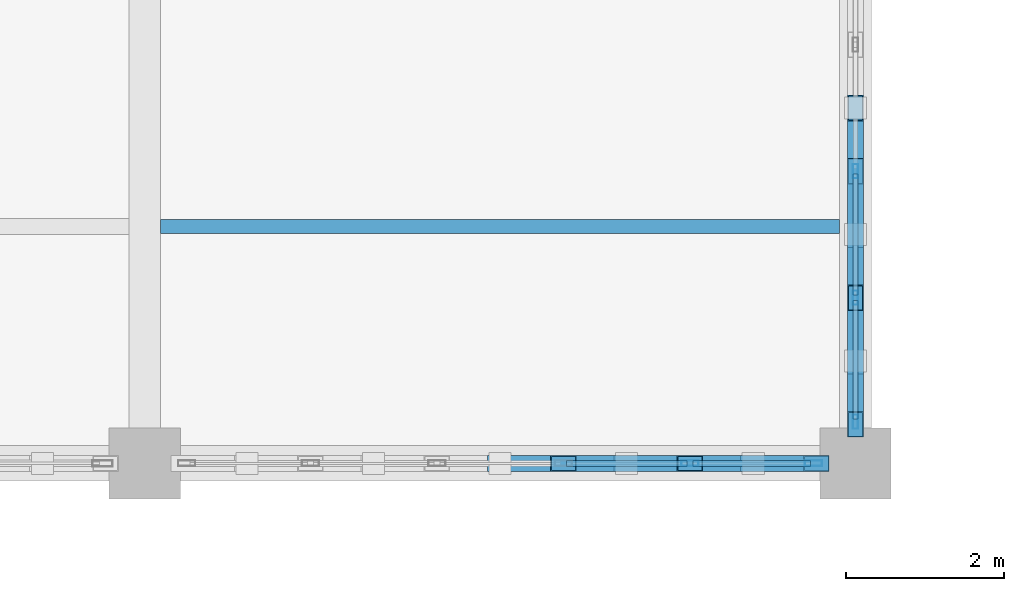
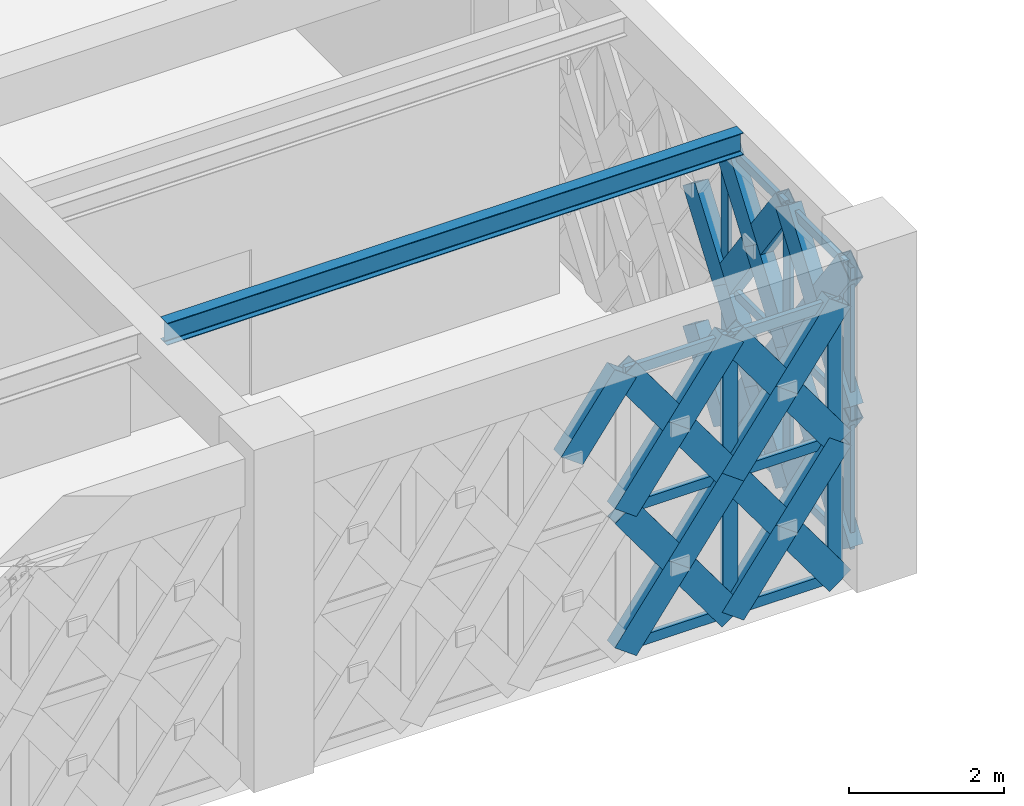
# One storey, part 85 of 166: 44 members, 1 beam, 2 elements without a shape of their own.
"""IFC4 building model written with IfcOpenShell, lengths in metres."""

from ifc_helpers import new_model, si_unit, direction, frame, origin, origin_2d, place, context, subcontext, project, spatial, hollow_rectangle, i_section, extrude, material, material_profile, profile_set, type_object, element, aggregate, save


model = new_model("IFC4")

# Units and contexts
model_context = context("Model", 3, precision=1e-05, world=origin(), true_north=direction((0.0, 1.0)))
body_context = subcontext(model_context, "Body", "Model", "MODEL_VIEW")
ifc_project = project(units=[si_unit("LENGTHUNIT", "METRE"), si_unit("AREAUNIT", "SQUARE_METRE"), si_unit("VOLUMEUNIT", "CUBIC_METRE"), si_unit("PLANEANGLEUNIT", "RADIAN"), si_unit("MASSUNIT", "GRAM", prefix="KILO")], contexts=[model_context])

# Site, building, storey
site_placement = place(None, origin())
site = spatial("IfcSite", under=ifc_project, at=site_placement, CompositionType="ELEMENT")
building_placement = place(site_placement, origin())
building = spatial("IfcBuilding", under=site, at=building_placement, Name="Haizhuo Lancet Aquarium", CompositionType="ELEMENT")
storey_placement = place(building_placement, frame((0.0, 0.0, 5.39990234375)))
storey = spatial("IfcBuildingStorey", under=building, at=storey_placement, Name="L01", CompositionType="ELEMENT", Elevation=5.39990234375)

# Curtain wall, members
ifc_material_1 = material(Name="Aluminium 6063-T6", Category="aluminium")
curtain_wall_type_1 = type_object("IfcCurtainWallType", Name="CWD-8010x4440", PredefinedType="NOTDEFINED", material=ifc_material_1)
curtain_wall_1_placement = place(storey_placement, origin())
curtain_wall_1 = element("IfcCurtainWall", 1, at=curtain_wall_1_placement, inside=storey, type_object=curtain_wall_type_1, Name="L01 curtain wall CW-V5-L01-136", PredefinedType="NOTDEFINED")
ifc_material_profile_1 = material_profile(ifc_material_1, hollow_rectangle(XDim=0.06494140625, YDim=0.179931640625, WallThickness=0.00390625, at=origin_2d()), Name="ALU-M 65x180x4")
ifc_profile_set_1 = profile_set([ifc_material_profile_1], Name="Aluminium 6063-T6")
member_type_1 = type_object("IfcMemberType", Name="CW-MUL-1", PredefinedType="MULLION", material=ifc_profile_set_1)
member_1_placement = place(storey_placement, frame((27.0, 39.698974609375, 0.0), z_axis=(0.0, 0.0, 1.0), x_axis=(1.0, 0.0, 0.0)))
member_1 = element("IfcMember", 2, at=member_1_placement, type_object=member_type_1, Name="CWD-80x44 mullion 4", PredefinedType="MULLION", context=body_context, shape_type="SweptSolid", body=[
    extrude(hollow_rectangle(XDim=0.06494140625, YDim=0.179931640625, WallThickness=0.00390625, at=origin_2d()), origin(), (0.0, 0.0, 1.0), 4.440185546875),
])
member_2_placement = place(storey_placement, frame((27.0, 38.096923828125, 0.0), z_axis=(0.0, 0.0, 1.0), x_axis=(1.0, 0.0, 0.0)))
member_2 = element("IfcMember", 3, at=member_2_placement, type_object=member_type_1, Name="CWD-80x44 mullion 5", PredefinedType="MULLION", context=body_context, shape_type="SweptSolid", body=[
    extrude(hollow_rectangle(XDim=0.06494140625, YDim=0.179931640625, WallThickness=0.00390625, at=origin_2d()), origin(), (0.0, 0.0, 1.0), 4.440185546875),
])
member_3_placement = place(storey_placement, frame((27.0, 36.527099609375, 0.0), z_axis=(0.0, 0.0, 1.0), x_axis=(1.0, 0.0, 0.0)))
member_3 = element("IfcMember", 4, at=member_3_placement, type_object=member_type_1, Name="CWD-80x44 mullion 6", PredefinedType="MULLION", context=body_context, shape_type="SweptSolid", body=[
    extrude(hollow_rectangle(XDim=0.06494140625, YDim=0.179931640625, WallThickness=0.00390625, at=origin_2d()), origin(), (0.0, 0.0, 1.0), 4.440185546875),
])

curtain_wall_type_2 = type_object("IfcCurtainWallType", Name="CWD-8010x4390", PredefinedType="NOTDEFINED", material=ifc_material_1)
curtain_wall_2_placement = place(storey_placement, origin())
curtain_wall_2 = element("IfcCurtainWall", 5, at=curtain_wall_2_placement, inside=storey, type_object=curtain_wall_type_2, Name="L01 curtain wall CW-V5-L01-137", PredefinedType="NOTDEFINED")
ifc_material_profile_2 = material_profile(ifc_material_1, hollow_rectangle(XDim=0.074951171875, YDim=0.219970703125, WallThickness=0.0048828125, at=origin_2d()), Name="ALU-M 75x220x5")
ifc_profile_set_2 = profile_set([ifc_material_profile_2], Name="Aluminium 6063-T6")
member_type_2 = type_object("IfcMemberType", Name="CW-MUL-2", PredefinedType="MULLION", material=ifc_profile_set_2)
member_4_placement = place(storey_placement, frame((26.467041015625, 36.0, 0.0), z_axis=(0.0, 0.0, 1.0), x_axis=(0.0, -1.0, 0.0)))
member_4 = element("IfcMember", 6, at=member_4_placement, type_object=member_type_2, Name="CWD-80x43 mullion 1", PredefinedType="MULLION", context=body_context, shape_type="SweptSolid", body=[
    extrude(hollow_rectangle(XDim=0.074951171875, YDim=0.219970703125, WallThickness=0.0048828125, at=origin_2d()), origin(), (0.0, 0.0, 1.0), 4.39013671875),
])
member_5_placement = place(storey_placement, frame((24.903076171875, 36.0, 0.0), z_axis=(0.0, 0.0, 1.0), x_axis=(0.0, -1.0, 0.0)))
member_5 = element("IfcMember", 7, at=member_5_placement, type_object=member_type_2, Name="CWD-80x43 mullion 2", PredefinedType="MULLION", context=body_context, shape_type="SweptSolid", body=[
    extrude(hollow_rectangle(XDim=0.074951171875, YDim=0.219970703125, WallThickness=0.0048828125, at=origin_2d()), origin(), (0.0, 0.0, 1.0), 4.39013671875),
])

# Member
ifc_material_profile_3 = material_profile(ifc_material_1, hollow_rectangle(XDim=0.06494140625, YDim=0.139892578125, WallThickness=0.00390625, at=origin_2d()), Name="ALU-T 65x140x4")
ifc_profile_set_3 = profile_set([ifc_material_profile_3], Name="Aluminium 6063-T6")
member_type_3 = type_object("IfcMemberType", Name="CW-TRN-1", PredefinedType="NOTDEFINED", material=ifc_profile_set_3)
member_6_placement = place(storey_placement, frame((27.0, 39.666015625, 0.033203125), z_axis=(0.0, -1.0, 0.0), x_axis=(1.0, 0.0, 0.0)))
member_6 = element("IfcMember", 8, at=member_6_placement, type_object=member_type_3, Name="CWD-80x44 transom 4.1", ObjectType="TRANSOM", PredefinedType="USERDEFINED", context=body_context, shape_type="SweptSolid", body=[
    extrude(hollow_rectangle(XDim=0.06494140625, YDim=0.139892578125, WallThickness=0.00390625, at=origin_2d()), origin(), (0.0, 0.0, 1.0), 1.5361328125),
])

member_7_placement = place(storey_placement, frame((27.0, 39.666015625, 2.22021484375), z_axis=(0.0, -1.0, 0.0), x_axis=(1.0, 0.0, 0.0)))
member_7 = element("IfcMember", 9, at=member_7_placement, type_object=member_type_3, Name="CWD-80x44 transom 4.2", ObjectType="TRANSOM", PredefinedType="USERDEFINED", context=body_context, shape_type="SweptSolid", body=[
    extrude(hollow_rectangle(XDim=0.06494140625, YDim=0.139892578125, WallThickness=0.00390625, at=origin_2d()), origin(), (0.0, 0.0, 1.0), 1.5361328125),
])

member_8_placement = place(storey_placement, frame((27.0, 39.666015625, 4.406982421875), z_axis=(0.0, -1.0, 0.0), x_axis=(1.0, 0.0, 0.0)))
member_8 = element("IfcMember", 10, at=member_8_placement, type_object=member_type_3, Name="CWD-80x44 transom 4.3", ObjectType="TRANSOM", PredefinedType="USERDEFINED", context=body_context, shape_type="SweptSolid", body=[
    extrude(hollow_rectangle(XDim=0.06494140625, YDim=0.139892578125, WallThickness=0.00390625, at=origin_2d()), origin(), (0.0, 0.0, 1.0), 1.5361328125),
])

member_9_placement = place(storey_placement, frame((27.0, 38.06396484375, 0.033203125), z_axis=(0.0, -1.0, 0.0), x_axis=(1.0, 0.0, 0.0)))
member_9 = element("IfcMember", 11, at=member_9_placement, type_object=member_type_3, Name="CWD-80x44 transom 5.1", ObjectType="TRANSOM", PredefinedType="USERDEFINED", context=body_context, shape_type="SweptSolid", body=[
    extrude(hollow_rectangle(XDim=0.06494140625, YDim=0.139892578125, WallThickness=0.00390625, at=origin_2d()), origin(), (0.0, 0.0, 1.0), 1.50390625),
])

member_10_placement = place(storey_placement, frame((27.0, 38.06396484375, 2.22021484375), z_axis=(0.0, -1.0, 0.0), x_axis=(1.0, 0.0, 0.0)))
member_10 = element("IfcMember", 12, at=member_10_placement, type_object=member_type_3, Name="CWD-80x44 transom 5.2", ObjectType="TRANSOM", PredefinedType="USERDEFINED", context=body_context, shape_type="SweptSolid", body=[
    extrude(hollow_rectangle(XDim=0.06494140625, YDim=0.139892578125, WallThickness=0.00390625, at=origin_2d()), origin(), (0.0, 0.0, 1.0), 1.50390625),
])

member_11_placement = place(storey_placement, frame((27.0, 38.06396484375, 4.406982421875), z_axis=(0.0, -1.0, 0.0), x_axis=(1.0, 0.0, 0.0)))
member_11 = element("IfcMember", 13, at=member_11_placement, type_object=member_type_3, Name="CWD-80x44 transom 5.3", ObjectType="TRANSOM", PredefinedType="USERDEFINED", context=body_context, shape_type="SweptSolid", body=[
    extrude(hollow_rectangle(XDim=0.06494140625, YDim=0.139892578125, WallThickness=0.00390625, at=origin_2d()), origin(), (0.0, 0.0, 1.0), 1.50390625),
])

aggregate(curtain_wall_1, [member_1, member_2, member_3, member_6, member_7, member_8, member_9, member_10, member_11])

ifc_material_profile_4 = material_profile(ifc_material_1, hollow_rectangle(XDim=0.074951171875, YDim=0.159912109375, WallThickness=0.00390625, at=origin_2d()), Name="ALU-T 75x160x4")
ifc_profile_set_4 = profile_set([ifc_material_profile_4], Name="Aluminium 6063-T6")
member_type_4 = type_object("IfcMemberType", Name="CW-TRN-2", PredefinedType="NOTDEFINED", material=ifc_profile_set_4)
member_12_placement = place(storey_placement, frame((26.429931640625, 36.0, 0.0380859375), z_axis=(-1.0, 0.0, 0.0), x_axis=(0.0, -1.0, 0.0)))
member_12 = element("IfcMember", 14, at=member_12_placement, type_object=member_type_4, Name="CWD-80x43 transom 1.1", ObjectType="TRANSOM", PredefinedType="USERDEFINED", context=body_context, shape_type="SweptSolid", body=[
    extrude(hollow_rectangle(XDim=0.074951171875, YDim=0.159912109375, WallThickness=0.00390625, at=origin_2d()), origin(), (0.0, 0.0, 1.0), 1.489013671875),
])

member_13_placement = place(storey_placement, frame((26.429931640625, 36.0, 2.195068359375), z_axis=(-1.0, 0.0, 0.0), x_axis=(0.0, -1.0, 0.0)))
member_13 = element("IfcMember", 15, at=member_13_placement, type_object=member_type_4, Name="CWD-80x43 transom 1.2", ObjectType="TRANSOM", PredefinedType="USERDEFINED", context=body_context, shape_type="SweptSolid", body=[
    extrude(hollow_rectangle(XDim=0.074951171875, YDim=0.159912109375, WallThickness=0.00390625, at=origin_2d()), origin(), (0.0, 0.0, 1.0), 1.489013671875),
])

member_14_placement = place(storey_placement, frame((26.429931640625, 36.0, 4.35205078125), z_axis=(-1.0, 0.0, 0.0), x_axis=(0.0, -1.0, 0.0)))
member_14 = element("IfcMember", 16, at=member_14_placement, type_object=member_type_4, Name="CWD-80x43 transom 1.3", ObjectType="TRANSOM", PredefinedType="USERDEFINED", context=body_context, shape_type="SweptSolid", body=[
    extrude(hollow_rectangle(XDim=0.074951171875, YDim=0.159912109375, WallThickness=0.00390625, at=origin_2d()), origin(), (0.0, 0.0, 1.0), 1.489013671875),
])

member_15_placement = place(storey_placement, frame((24.865966796875, 36.0, 0.0380859375), z_axis=(-1.0, 0.0, 0.0), x_axis=(0.0, -1.0, 0.0)))
member_15 = element("IfcMember", 17, at=member_15_placement, type_object=member_type_4, Name="CWD-80x43 transom 2.1", ObjectType="TRANSOM", PredefinedType="USERDEFINED", context=body_context, shape_type="SweptSolid", body=[
    extrude(hollow_rectangle(XDim=0.074951171875, YDim=0.159912109375, WallThickness=0.00390625, at=origin_2d()), origin(), (0.0, 0.0, 1.0), 1.528076171875),
])

member_16_placement = place(storey_placement, frame((24.865966796875, 36.0, 2.195068359375), z_axis=(-1.0, 0.0, 0.0), x_axis=(0.0, -1.0, 0.0)))
member_16 = element("IfcMember", 18, at=member_16_placement, type_object=member_type_4, Name="CWD-80x43 transom 2.2", ObjectType="TRANSOM", PredefinedType="USERDEFINED", context=body_context, shape_type="SweptSolid", body=[
    extrude(hollow_rectangle(XDim=0.074951171875, YDim=0.159912109375, WallThickness=0.00390625, at=origin_2d()), origin(), (0.0, 0.0, 1.0), 1.528076171875),
])

member_17_placement = place(storey_placement, frame((24.865966796875, 36.0, 4.35205078125), z_axis=(-1.0, 0.0, 0.0), x_axis=(0.0, -1.0, 0.0)))
member_17 = element("IfcMember", 19, at=member_17_placement, type_object=member_type_4, Name="CWD-80x43 transom 2.3", ObjectType="TRANSOM", PredefinedType="USERDEFINED", context=body_context, shape_type="SweptSolid", body=[
    extrude(hollow_rectangle(XDim=0.074951171875, YDim=0.159912109375, WallThickness=0.00390625, at=origin_2d()), origin(), (0.0, 0.0, 1.0), 1.528076171875),
])

aggregate(curtain_wall_2, [member_4, member_5, member_12, member_13, member_14, member_15, member_16, member_17])

# Beam
ifc_material_2 = material(Name="Steel S355", Category="steel")
ifc_material_profile_5 = material_profile(ifc_material_2, i_section(OverallWidth=0.175048828125, OverallDepth=0.35009765625, WebThickness=0.007080078125, FlangeThickness=0.010986328125, FilletRadius=0.013916015625, at=origin_2d()), Name="HN 350x175x7x11")
ifc_profile_set_5 = profile_set([ifc_material_profile_5], Name="Steel S355")
beam_type = type_object("IfcBeamType", Name="JST-ST-HN350", PredefinedType="JOIST", material=ifc_profile_set_5)
beam_placement = place(storey_placement, frame((18.199951171875, 39.0, 4.965087890625), z_axis=(1.0, 0.0, 0.0), x_axis=(0.0, 1.0, 0.0)))
element("IfcBeam", 20, at=beam_placement, inside=storey, type_object=beam_type, Name="L01 V5 secondary floor joist 21", PredefinedType="JOIST", context=body_context, shape_type="SweptSolid", body=[
    extrude(i_section(OverallWidth=0.175048828125, OverallDepth=0.35009765625, WebThickness=0.007080078125, FlangeThickness=0.010986328125, FilletRadius=0.013916015625, at=origin_2d()), origin(), (0.0, 0.0, 1.0), 8.60009765625),
])

# Members
ifc_material_profile_6 = material_profile(ifc_material_2, hollow_rectangle(XDim=0.199951171875, YDim=0.39990234375, WallThickness=0.011962890625, at=origin_2d()), Name="RHS 200x400x12")
ifc_profile_set_6 = profile_set([ifc_material_profile_6], Name="Steel S355")
member_type_5 = type_object("IfcMemberType", Name="MEM-LB-RHS200x400", PredefinedType="BRACE", material=ifc_profile_set_6)
member_18_placement = place(storey_placement, frame((27.0, 39.698974609375, 0.0), z_axis=(0.0, 0.585145389624, 0.810928401896), x_axis=(-1.0, 0.0, 0.0)))
element("IfcMember", 21, at=member_18_placement, inside=storey, type_object=member_type_5, Name="Gothic lancet split diagonal brace CW-V5-L01-136 5B1", PredefinedType="BRACE", context=body_context, shape_type="SweptSolid", body=[
    extrude(hollow_rectangle(XDim=0.199951171875, YDim=0.39990234375, WallThickness=0.011962890625, at=origin_2d()), origin(), (0.0, 0.0, 1.0), 1.368896484375),
])
member_19_placement = place(storey_placement, frame((27.0, 39.698974609375, 2.22021484375), z_axis=(0.0, 0.585230024685, 0.810867324663), x_axis=(-1.0, 0.0, 0.0)))
element("IfcMember", 22, at=member_19_placement, inside=storey, type_object=member_type_5, Name="Gothic lancet split diagonal brace CW-V5-L01-136 6B1", PredefinedType="BRACE", context=body_context, shape_type="SweptSolid", body=[
    extrude(hollow_rectangle(XDim=0.199951171875, YDim=0.39990234375, WallThickness=0.011962890625, at=origin_2d()), origin(), (0.0, 0.0, 1.0), 1.36865234375),
])
member_20_placement = place(storey_placement, frame((27.0, 39.698974609375, 0.0), z_axis=(0.0, -0.585145389624, 0.810928401896), x_axis=(1.0, 0.0, 0.0)))
element("IfcMember", 23, at=member_20_placement, inside=storey, type_object=member_type_5, Name="Gothic lancet continuous diagonal brace CW-V5-L01-136 7A", PredefinedType="BRACE", context=body_context, shape_type="SweptSolid", body=[
    extrude(hollow_rectangle(XDim=0.199951171875, YDim=0.39990234375, WallThickness=0.011962890625, at=origin_2d()), origin(), (0.0, 0.0, 1.0), 2.73779296875),
])
for number, where, z_axis, x_axis, name in (
    (24, (27.0, 38.096923828125, 0.0), (0.0, 0.585145389624, 0.810928401896), (-1.0, 0.0, 0.0), "Gothic lancet split diagonal brace CW-V5-L01-136 7B1"),
    (25, (27.0, 38.89794921875, 1.110107421875), (0.0, 0.585145389624, 0.810928401896), (-1.0, 0.0, 0.0), "Gothic lancet split diagonal brace CW-V5-L01-136 7B2"),
):
    element("IfcMember", number, at=place(storey_placement, frame(where, z_axis=z_axis, x_axis=x_axis)), inside=storey, type_object=member_type_5, Name=name, PredefinedType="BRACE", context=body_context, shape_type="SweptSolid", body=[
        extrude(hollow_rectangle(XDim=0.199951171875, YDim=0.39990234375, WallThickness=0.011962890625, at=origin_2d()), origin(), (0.0, 0.0, 1.0), 1.368896484375),
    ])
member_21_placement = place(storey_placement, frame((27.0, 39.698974609375, 2.22021484375), z_axis=(0.0, -0.585187704891, 0.810897866592), x_axis=(1.0, 0.0, 0.0)))
element("IfcMember", 26, at=member_21_placement, inside=storey, type_object=member_type_5, Name="Gothic lancet continuous diagonal brace CW-V5-L01-136 8A", PredefinedType="BRACE", context=body_context, shape_type="SweptSolid", body=[
    extrude(hollow_rectangle(XDim=0.199951171875, YDim=0.39990234375, WallThickness=0.011962890625, at=origin_2d()), origin(), (0.0, 0.0, 1.0), 2.737548828125),
])
member_22_placement = place(storey_placement, frame((27.0, 38.096923828125, 2.22021484375), z_axis=(0.0, 0.585230024685, 0.810867324663), x_axis=(-1.0, 0.0, 0.0)))
element("IfcMember", 27, at=member_22_placement, inside=storey, type_object=member_type_5, Name="Gothic lancet split diagonal brace CW-V5-L01-136 8B1", PredefinedType="BRACE", context=body_context, shape_type="SweptSolid", body=[
    extrude(hollow_rectangle(XDim=0.199951171875, YDim=0.39990234375, WallThickness=0.011962890625, at=origin_2d()), origin(), (0.0, 0.0, 1.0), 1.36865234375),
])
member_23_placement = place(storey_placement, frame((27.0, 38.89794921875, 3.330078125), z_axis=(0.0, 0.585145389624, 0.810928401896), x_axis=(-1.0, 0.0, 0.0)))
element("IfcMember", 28, at=member_23_placement, inside=storey, type_object=member_type_5, Name="Gothic lancet split diagonal brace CW-V5-L01-136 8B2", PredefinedType="BRACE", context=body_context, shape_type="SweptSolid", body=[
    extrude(hollow_rectangle(XDim=0.199951171875, YDim=0.39990234375, WallThickness=0.011962890625, at=origin_2d()), origin(), (0.0, 0.0, 1.0), 1.368896484375),
])
member_24_placement = place(storey_placement, frame((27.0, 38.096923828125, 0.0), z_axis=(0.0, -0.58508674522, 0.810970714988), x_axis=(1.0, 0.0, 0.0)))
element("IfcMember", 29, at=member_24_placement, inside=storey, type_object=member_type_5, Name="Gothic lancet continuous diagonal brace CW-V5-L01-136 9A", PredefinedType="BRACE", context=body_context, shape_type="SweptSolid", body=[
    extrude(hollow_rectangle(XDim=0.199951171875, YDim=0.39990234375, WallThickness=0.011962890625, at=origin_2d()), origin(), (0.0, 0.0, 1.0), 2.73779296875),
])
for number, where, z_axis, x_axis, name in (
    (30, (27.0, 36.4951171875, 0.0), (0.0, 0.585028091636, 0.811013028253), (-1.0, 0.0, 0.0), "Gothic lancet split diagonal brace CW-V5-L01-136 9B1"),
    (31, (27.0, 37.2958984375, 1.110107421875), (0.0, 0.585145389624, 0.810928401896), (-1.0, 0.0, 0.0), "Gothic lancet split diagonal brace CW-V5-L01-136 9B2"),
):
    element("IfcMember", number, at=place(storey_placement, frame(where, z_axis=z_axis, x_axis=x_axis)), inside=storey, type_object=member_type_5, Name=name, PredefinedType="BRACE", context=body_context, shape_type="SweptSolid", body=[
        extrude(hollow_rectangle(XDim=0.199951171875, YDim=0.39990234375, WallThickness=0.011962890625, at=origin_2d()), origin(), (0.0, 0.0, 1.0), 1.368896484375),
    ])
member_25_placement = place(storey_placement, frame((27.0, 38.096923828125, 2.22021484375), z_axis=(0.0, -0.585129060663, 0.810940184211), x_axis=(1.0, 0.0, 0.0)))
element("IfcMember", 32, at=member_25_placement, inside=storey, type_object=member_type_5, Name="Gothic lancet continuous diagonal brace CW-V5-L01-136 10A", PredefinedType="BRACE", context=body_context, shape_type="SweptSolid", body=[
    extrude(hollow_rectangle(XDim=0.199951171875, YDim=0.39990234375, WallThickness=0.011962890625, at=origin_2d()), origin(), (0.0, 0.0, 1.0), 2.737548828125),
])
member_26_placement = place(storey_placement, frame((27.0, 36.4951171875, 2.22021484375), z_axis=(0.0, 0.585112727398, 0.810951969131), x_axis=(-1.0, 0.0, 0.0)))
element("IfcMember", 33, at=member_26_placement, inside=storey, type_object=member_type_5, Name="Gothic lancet split diagonal brace CW-V5-L01-136 10B1", PredefinedType="BRACE", context=body_context, shape_type="SweptSolid", body=[
    extrude(hollow_rectangle(XDim=0.199951171875, YDim=0.39990234375, WallThickness=0.011962890625, at=origin_2d()), origin(), (0.0, 0.0, 1.0), 1.36865234375),
])
member_27_placement = place(storey_placement, frame((27.0, 37.2958984375, 3.330078125), z_axis=(0.0, 0.585145389624, 0.810928401896), x_axis=(-1.0, 0.0, 0.0)))
element("IfcMember", 34, at=member_27_placement, inside=storey, type_object=member_type_5, Name="Gothic lancet split diagonal brace CW-V5-L01-136 10B2", PredefinedType="BRACE", context=body_context, shape_type="SweptSolid", body=[
    extrude(hollow_rectangle(XDim=0.199951171875, YDim=0.39990234375, WallThickness=0.011962890625, at=origin_2d()), origin(), (0.0, 0.0, 1.0), 1.368896484375),
])
member_28_placement = place(storey_placement, frame((26.5048828125, 36.0, 0.0), z_axis=(-0.589469070059, 0.0, 0.807790947859), x_axis=(0.0, -1.0, 0.0)))
element("IfcMember", 35, at=member_28_placement, inside=storey, type_object=member_type_5, Name="Gothic lancet continuous diagonal brace CW-V5-L01-137 1A", PredefinedType="BRACE", context=body_context, shape_type="SweptSolid", body=[
    extrude(hollow_rectangle(XDim=0.199951171875, YDim=0.39990234375, WallThickness=0.011962890625, at=origin_2d()), origin(), (0.0, 0.0, 1.0), 2.71728515625),
])
member_29_placement = place(storey_placement, frame((24.903076171875, 36.0, 0.0), z_axis=(0.589313844519, 0.0, 0.807904197698), x_axis=(0.0, 1.0, 0.0)))
element("IfcMember", 36, at=member_29_placement, inside=storey, type_object=member_type_5, Name="Gothic lancet split diagonal brace CW-V5-L01-137 1B1", PredefinedType="BRACE", context=body_context, shape_type="SweptSolid", body=[
    extrude(hollow_rectangle(XDim=0.199951171875, YDim=0.39990234375, WallThickness=0.011962890625, at=origin_2d()), origin(), (0.0, 0.0, 1.0), 1.359130859375),
])
member_30_placement = place(storey_placement, frame((25.7041015625, 36.0, 1.09814453125), z_axis=(0.58962440296, 0.0, 0.807677573933), x_axis=(0.0, 1.0, 0.0)))
element("IfcMember", 37, at=member_30_placement, inside=storey, type_object=member_type_5, Name="Gothic lancet split diagonal brace CW-V5-L01-137 1B2", PredefinedType="BRACE", context=body_context, shape_type="SweptSolid", body=[
    extrude(hollow_rectangle(XDim=0.199951171875, YDim=0.39990234375, WallThickness=0.011962890625, at=origin_2d()), origin(), (0.0, 0.0, 1.0), 1.358154296875),
])
member_31_placement = place(storey_placement, frame((26.5048828125, 36.0, 2.195068359375), z_axis=(-0.589469070059, 0.0, 0.807790947859), x_axis=(0.0, -1.0, 0.0)))
element("IfcMember", 38, at=member_31_placement, inside=storey, type_object=member_type_5, Name="Gothic lancet continuous diagonal brace CW-V5-L01-137 2A", PredefinedType="BRACE", context=body_context, shape_type="SweptSolid", body=[
    extrude(hollow_rectangle(XDim=0.199951171875, YDim=0.39990234375, WallThickness=0.011962890625, at=origin_2d()), origin(), (0.0, 0.0, 1.0), 2.71728515625),
])
member_32_placement = place(storey_placement, frame((24.903076171875, 36.0, 2.195068359375), z_axis=(0.589741651814, 0.0, 0.807591966352), x_axis=(0.0, 1.0, 0.0)))
element("IfcMember", 39, at=member_32_placement, inside=storey, type_object=member_type_5, Name="Gothic lancet split diagonal brace CW-V5-L01-137 2B1", PredefinedType="BRACE", context=body_context, shape_type="SweptSolid", body=[
    extrude(hollow_rectangle(XDim=0.199951171875, YDim=0.39990234375, WallThickness=0.011962890625, at=origin_2d()), origin(), (0.0, 0.0, 1.0), 1.358154296875),
])
member_33_placement = place(storey_placement, frame((25.7041015625, 36.0, 3.2919921875), z_axis=(0.589196590133, 0.0, 0.807989714152), x_axis=(0.0, 1.0, 0.0)))
element("IfcMember", 40, at=member_33_placement, inside=storey, type_object=member_type_5, Name="Gothic lancet split diagonal brace CW-V5-L01-137 2B2", PredefinedType="BRACE", context=body_context, shape_type="SweptSolid", body=[
    extrude(hollow_rectangle(XDim=0.199951171875, YDim=0.39990234375, WallThickness=0.011962890625, at=origin_2d()), origin(), (0.0, 0.0, 1.0), 1.359130859375),
])
member_34_placement = place(storey_placement, frame((24.903076171875, 36.0, 0.0), z_axis=(-0.589527691225, 0.0, 0.807748166992), x_axis=(0.0, -1.0, 0.0)))
element("IfcMember", 41, at=member_34_placement, inside=storey, type_object=member_type_5, Name="Gothic lancet continuous diagonal brace CW-V5-L01-137 3A", PredefinedType="BRACE", context=body_context, shape_type="SweptSolid", body=[
    extrude(hollow_rectangle(XDim=0.199951171875, YDim=0.39990234375, WallThickness=0.011962890625, at=origin_2d()), origin(), (0.0, 0.0, 1.0), 2.717529296875),
])
member_35_placement = place(storey_placement, frame((23.301025390625, 36.0, 0.0), z_axis=(0.589313844519, 0.0, 0.807904197698), x_axis=(0.0, 1.0, 0.0)))
element("IfcMember", 42, at=member_35_placement, inside=storey, type_object=member_type_5, Name="Gothic lancet split diagonal brace CW-V5-L01-137 3B1", PredefinedType="BRACE", context=body_context, shape_type="SweptSolid", body=[
    extrude(hollow_rectangle(XDim=0.199951171875, YDim=0.39990234375, WallThickness=0.011962890625, at=origin_2d()), origin(), (0.0, 0.0, 1.0), 1.359130859375),
])
member_36_placement = place(storey_placement, frame((24.10205078125, 36.0, 1.09814453125), z_axis=(0.589741651814, 0.0, 0.807591966352), x_axis=(0.0, 1.0, 0.0)))
element("IfcMember", 43, at=member_36_placement, inside=storey, type_object=member_type_5, Name="Gothic lancet split diagonal brace CW-V5-L01-137 3B2", PredefinedType="BRACE", context=body_context, shape_type="SweptSolid", body=[
    extrude(hollow_rectangle(XDim=0.199951171875, YDim=0.39990234375, WallThickness=0.011962890625, at=origin_2d()), origin(), (0.0, 0.0, 1.0), 1.358154296875),
])
member_37_placement = place(storey_placement, frame((24.903076171875, 36.0, 2.195068359375), z_axis=(-0.589527691225, 0.0, 0.807748166992), x_axis=(0.0, -1.0, 0.0)))
element("IfcMember", 44, at=member_37_placement, inside=storey, type_object=member_type_5, Name="Gothic lancet continuous diagonal brace CW-V5-L01-137 4A", PredefinedType="BRACE", context=body_context, shape_type="SweptSolid", body=[
    extrude(hollow_rectangle(XDim=0.199951171875, YDim=0.39990234375, WallThickness=0.011962890625, at=origin_2d()), origin(), (0.0, 0.0, 1.0), 2.717529296875),
])
member_38_placement = place(storey_placement, frame((23.301025390625, 36.0, 2.195068359375), z_axis=(0.589741651814, 0.0, 0.807591966352), x_axis=(0.0, 1.0, 0.0)))
element("IfcMember", 45, at=member_38_placement, inside=storey, type_object=member_type_5, Name="Gothic lancet split diagonal brace CW-V5-L01-137 4B1", PredefinedType="BRACE", context=body_context, shape_type="SweptSolid", body=[
    extrude(hollow_rectangle(XDim=0.199951171875, YDim=0.39990234375, WallThickness=0.011962890625, at=origin_2d()), origin(), (0.0, 0.0, 1.0), 1.358154296875),
])
for number, where, z_axis, x_axis, name in (
    (46, (24.10205078125, 36.0, 3.2919921875), (0.589313844519, 0.0, 0.807904197698), (0.0, 1.0, 0.0), "Gothic lancet split diagonal brace CW-V5-L01-137 4B2"),
    (47, (22.5, 36.0, 3.2919921875), (0.589313844519, 0.0, 0.807904197698), (0.0, 1.0, 0.0), "Gothic lancet split diagonal brace CW-V5-L01-137 6B2"),
):
    element("IfcMember", number, at=place(storey_placement, frame(where, z_axis=z_axis, x_axis=x_axis)), inside=storey, type_object=member_type_5, Name=name, PredefinedType="BRACE", context=body_context, shape_type="SweptSolid", body=[
        extrude(hollow_rectangle(XDim=0.199951171875, YDim=0.39990234375, WallThickness=0.011962890625, at=origin_2d()), origin(), (0.0, 0.0, 1.0), 1.359130859375),
    ])

save(model, "model.ifc")
